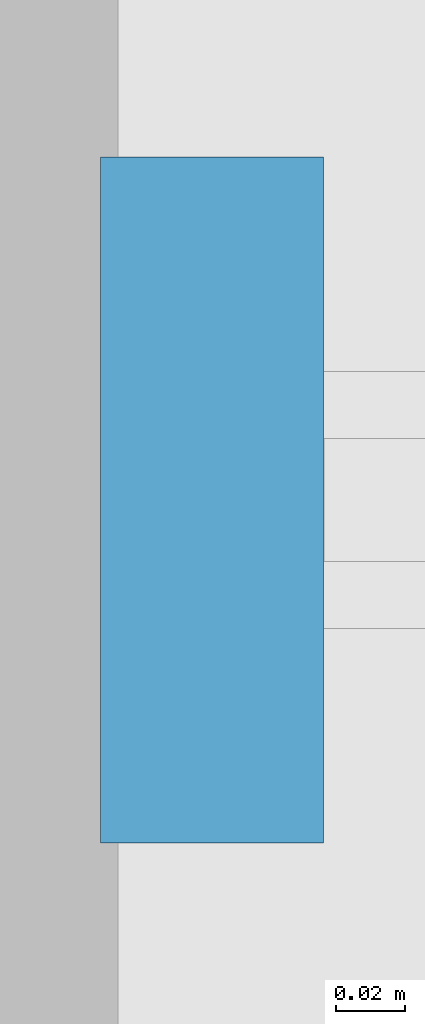
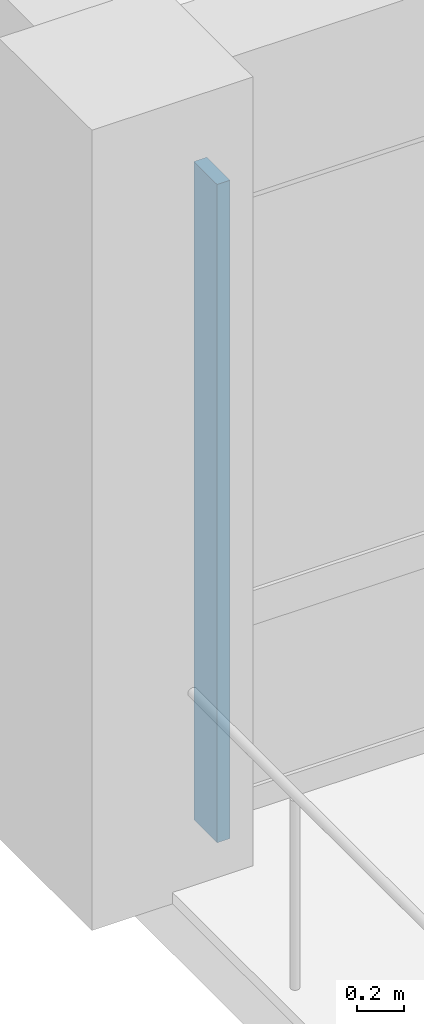
# One storey, part 16 of 57: 1 member, 1 element without a shape of its own.
"""IFC4 building model written with IfcOpenShell, lengths in metres."""

from ifc_helpers import new_model, si_unit, direction, frame, origin, origin_2d, place, context, subcontext, project, spatial, rectangle, extrude, material, material_profile, profile_set, type_object, element, aggregate, save


model = new_model("IFC4")

# Units and contexts
model_context = context("Model", 3, precision=1e-05, world=origin(), true_north=direction((0.0, 1.0)))
body_context = subcontext(model_context, "Body", "Model", "MODEL_VIEW")
ifc_project = project(units=[si_unit("LENGTHUNIT", "METRE"), si_unit("AREAUNIT", "SQUARE_METRE"), si_unit("VOLUMEUNIT", "CUBIC_METRE"), si_unit("PLANEANGLEUNIT", "RADIAN"), si_unit("MASSUNIT", "GRAM", prefix="KILO")], contexts=[model_context])

# Site, building, storey
site_placement = place(None, origin())
site = spatial("IfcSite", under=ifc_project, at=site_placement, CompositionType="ELEMENT")
building_placement = place(site_placement, origin())
building = spatial("IfcBuilding", under=site, at=building_placement, Name="Kemercrest Conservatory and Botanical Centre", CompositionType="ELEMENT")
storey_placement = place(building_placement, frame((0.0, 0.0, 4.800048828125)))
storey = spatial("IfcBuildingStorey", under=building, at=storey_placement, Name="L01", CompositionType="ELEMENT", Elevation=4.800048828125)

# Curtain wall, member
ifc_material_1 = material(Name="Thermally broken aluminium and triple low-e glazing", Category="aluminium")
curtain_wall_type = type_object("IfcCurtainWallType", Name="CW-19", PredefinedType="USERDEFINED", material=ifc_material_1)
curtain_wall_placement = place(storey_placement, origin())
curtain_wall = element("IfcCurtainWall", 1, at=curtain_wall_placement, inside=storey, type_object=curtain_wall_type, Name="Unitised curtain wall CW-19 (CW:L01:V4-048)", ObjectType="UNITISED CURTAIN WALL", PredefinedType="USERDEFINED")
ifc_material_2 = material(Name="Thermally broken anodized aluminium 6063-T6", Category="aluminium")
ifc_material_profile = material_profile(ifc_material_2, rectangle(XDim=0.199951171875, YDim=0.06494140625, at=origin_2d()), Name="AL MULLION 65x200")
ifc_profile_set = profile_set([ifc_material_profile], Name="Thermally broken anodized aluminium 6063-T6")
member_type = type_object("IfcMemberType", Name="CW-M200", PredefinedType="MULLION", material=ifc_profile_set)
member_placement = place(storey_placement, frame((134.427490234375, 69.60009765625, 0.0), z_axis=(0.0, 0.0, 1.0), x_axis=(0.0, 1.0, 0.0)))
member = element("IfcMember", 2, at=member_placement, type_object=member_type, Name="CW-19 mullion 1", PredefinedType="MULLION", context=body_context, shape_type="SweptSolid", body=[
    extrude(rectangle(XDim=0.199951171875, YDim=0.06494140625, at=origin_2d()), origin(), (0.0, 0.0, 1.0), 3.454833984375),
])
aggregate(curtain_wall, [member])

save(model, "model.ifc")
